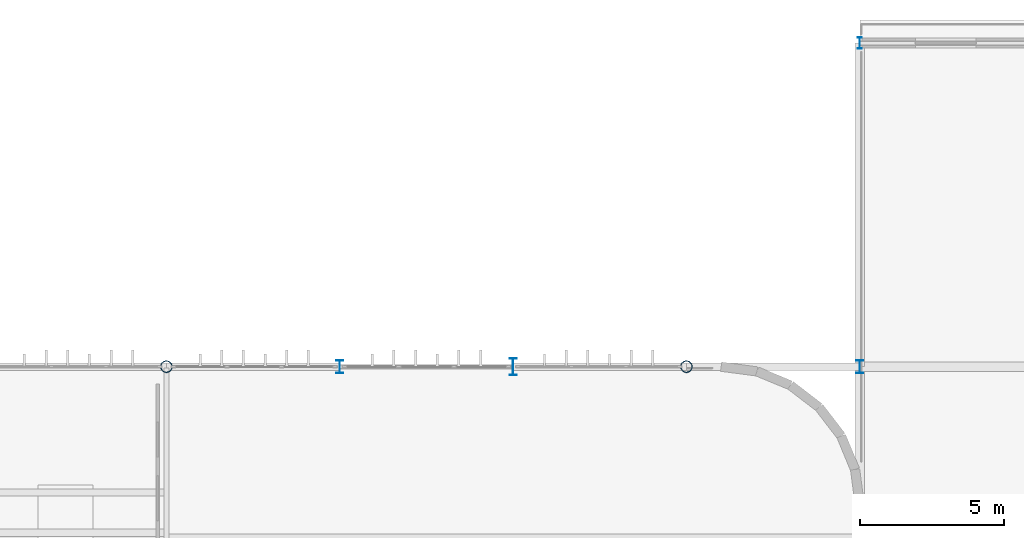
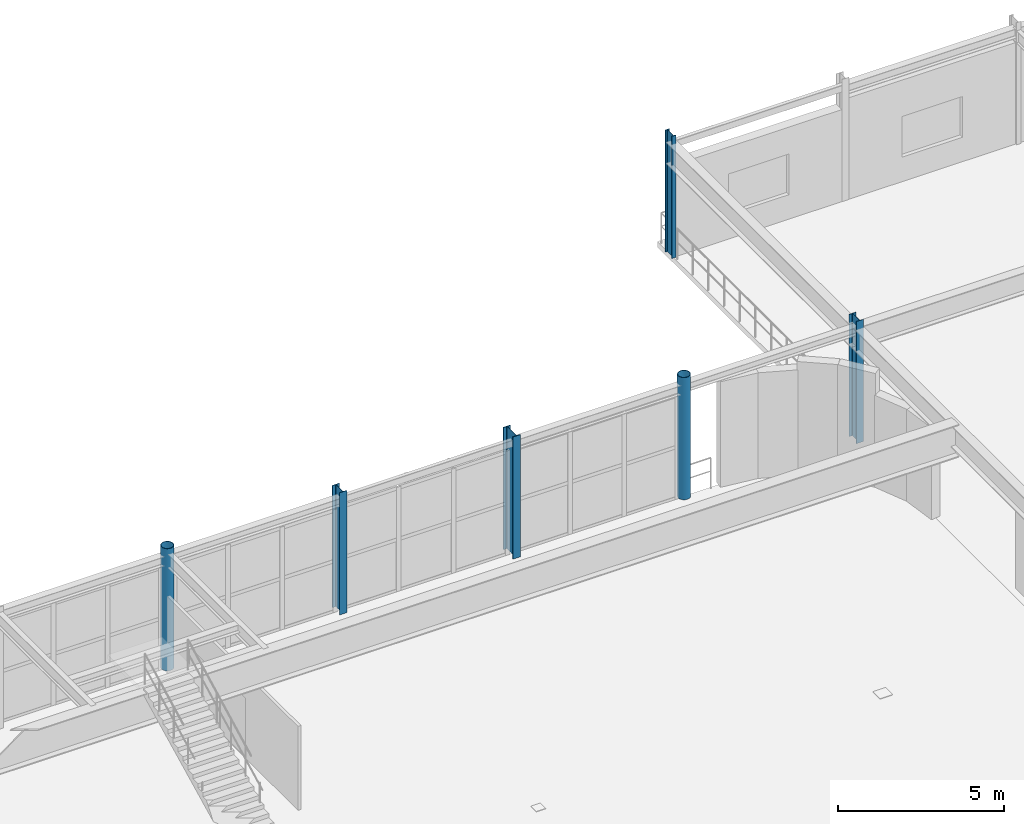
# One storey, part 16 of 84: 6 columns.
"""IFC4 building model written with IfcOpenShell, lengths in metres."""

from ifc_helpers import new_model, si_unit, direction, frame, origin, origin_2d, place, context, subcontext, project, spatial, hollow_circle, i_section, extrude, material, material_profile, profile_set, type_object, element, save


model = new_model("IFC4")

# Units and contexts
model_context = context("Model", 3, precision=1e-05, world=origin(), true_north=direction((0.0, 1.0)))
body_context = subcontext(model_context, "Body", "Model", "MODEL_VIEW")
ifc_project = project(units=[si_unit("LENGTHUNIT", "METRE"), si_unit("AREAUNIT", "SQUARE_METRE"), si_unit("VOLUMEUNIT", "CUBIC_METRE"), si_unit("PLANEANGLEUNIT", "RADIAN"), si_unit("MASSUNIT", "GRAM", prefix="KILO")], contexts=[model_context])

# Site, building, storey
site_placement = place(None, origin())
site = spatial("IfcSite", under=ifc_project, at=site_placement, CompositionType="ELEMENT")
building_placement = place(site_placement, origin())
building = spatial("IfcBuilding", under=site, at=building_placement, Name="Varnakota Square Police Headquarters", CompositionType="ELEMENT")
storey_placement = place(building_placement, frame((0.0, 0.0, 13.5)))
storey = spatial("IfcBuildingStorey", under=building, at=storey_placement, Name="L03", CompositionType="ELEMENT", Elevation=13.5)

# Columns
ifc_material = material(Name="Steel IS 2062 Grade 350", Category="steel")
ifc_material_profile_1 = material_profile(ifc_material, hollow_circle(Radius=0.203125, WallThickness=0.01611328125, at=origin_2d()), Name="CHS 406.4x16.0")
ifc_profile_set_1 = profile_set([ifc_material_profile_1], Name="Steel IS 2062 Grade 350")
column_type_1 = type_object("IfcColumnType", Name="COL-CHS406", PredefinedType="COLUMN", material=ifc_profile_set_1)
for number, where, z_axis, x_axis, name in (
    (1, (72.0, 99.0, 0.0), (0.0, 0.0, 1.0), (1.0, 0.0, 0.0), "Column X0720-Y0990 L03"),
    (2, (90.0, 99.0, 0.0), (0.0, 0.0, 1.0), (1.0, 0.0, 0.0), "Column X0900-Y0990 L03"),
):
    element("IfcColumn", number, at=place(storey_placement, frame(where, z_axis=z_axis, x_axis=x_axis)), inside=storey, type_object=column_type_1, Name=name, PredefinedType="COLUMN", context=body_context, shape_type="SweptSolid", body=[
        extrude(hollow_circle(Radius=0.203125, WallThickness=0.01611328125, at=origin_2d()), origin(), (0.0, 0.0, 1.0), 4.5),
    ])
ifc_material_profile_2 = material_profile(ifc_material, i_section(OverallWidth=0.25, OverallDepth=0.449951171875, WebThickness=0.01123046875, FlangeThickness=0.013671875, FilletRadius=0.014892578125, at=origin_2d()), Name="ISHB 450")
ifc_profile_set_2 = profile_set([ifc_material_profile_2], Name="Steel IS 2062 Grade 350")
column_type_2 = type_object("IfcColumnType", Name="COL-ISHB450", PredefinedType="COLUMN", material=ifc_profile_set_2)
for number, where, z_axis, x_axis, name in (
    (3, (78.0, 99.0, 0.0), (0.0, 0.0, 1.0), (1.0, 0.0, 0.0), "Column X0780-Y0990 L03"),
    (4, (96.0, 99.0, 0.0), (0.0, 0.0, 1.0), (1.0, 0.0, 0.0), "Column X0960-Y0990 L03"),
):
    element("IfcColumn", number, at=place(storey_placement, frame(where, z_axis=z_axis, x_axis=x_axis)), inside=storey, type_object=column_type_2, Name=name, PredefinedType="COLUMN", context=body_context, shape_type="SweptSolid", body=[
        extrude(i_section(OverallWidth=0.25, OverallDepth=0.449951171875, WebThickness=0.01123046875, FlangeThickness=0.013671875, FilletRadius=0.014892578125, at=origin_2d()), origin(), (0.0, 0.0, 1.0), 4.5),
    ])
ifc_material_profile_3 = material_profile(ifc_material, i_section(OverallWidth=0.139892578125, OverallDepth=0.39990234375, WebThickness=0.0087890625, FlangeThickness=0.01611328125, FilletRadius=0.013916015625, at=origin_2d()), Name="ISMB 400")
ifc_profile_set_3 = profile_set([ifc_material_profile_3], Name="Steel IS 2062 Grade 350")
column_type_3 = type_object("IfcColumnType", Name="COL-ISMB400", PredefinedType="COLUMN", material=ifc_profile_set_3)
column_1_placement = place(storey_placement, frame((96.0, 110.199951171875, 0.0), z_axis=(0.0, 0.0, 1.0), x_axis=(1.0, 0.0, 0.0)))
element("IfcColumn", 5, at=column_1_placement, inside=storey, type_object=column_type_3, Name="Column X0960-Y1102 L03", PredefinedType="COLUMN", context=body_context, shape_type="SweptSolid", body=[
    extrude(i_section(OverallWidth=0.139892578125, OverallDepth=0.39990234375, WebThickness=0.0087890625, FlangeThickness=0.01611328125, FilletRadius=0.013916015625, at=origin_2d()), origin(), (0.0, 0.0, 1.0), 4.5),
])
ifc_material_profile_4 = material_profile(ifc_material, i_section(OverallWidth=0.25, OverallDepth=0.60009765625, WebThickness=0.01171875, FlangeThickness=0.023681640625, FilletRadius=0.01708984375, at=origin_2d()), Name="ISWB 600")
ifc_profile_set_4 = profile_set([ifc_material_profile_4], Name="Steel IS 2062 Grade 350")
column_type_4 = type_object("IfcColumnType", Name="COL-ISWB600", PredefinedType="COLUMN", material=ifc_profile_set_4)
column_2_placement = place(storey_placement, frame((84.0, 99.0, 0.0), z_axis=(0.0, 0.0, 1.0), x_axis=(1.0, 0.0, 0.0)))
element("IfcColumn", 6, at=column_2_placement, inside=storey, type_object=column_type_4, Name="Column X0840-Y0990 L03", PredefinedType="COLUMN", context=body_context, shape_type="SweptSolid", body=[
    extrude(i_section(OverallWidth=0.25, OverallDepth=0.60009765625, WebThickness=0.01171875, FlangeThickness=0.023681640625, FilletRadius=0.01708984375, at=origin_2d()), origin(), (0.0, 0.0, 1.0), 4.5),
])

save(model, "model.ifc")
